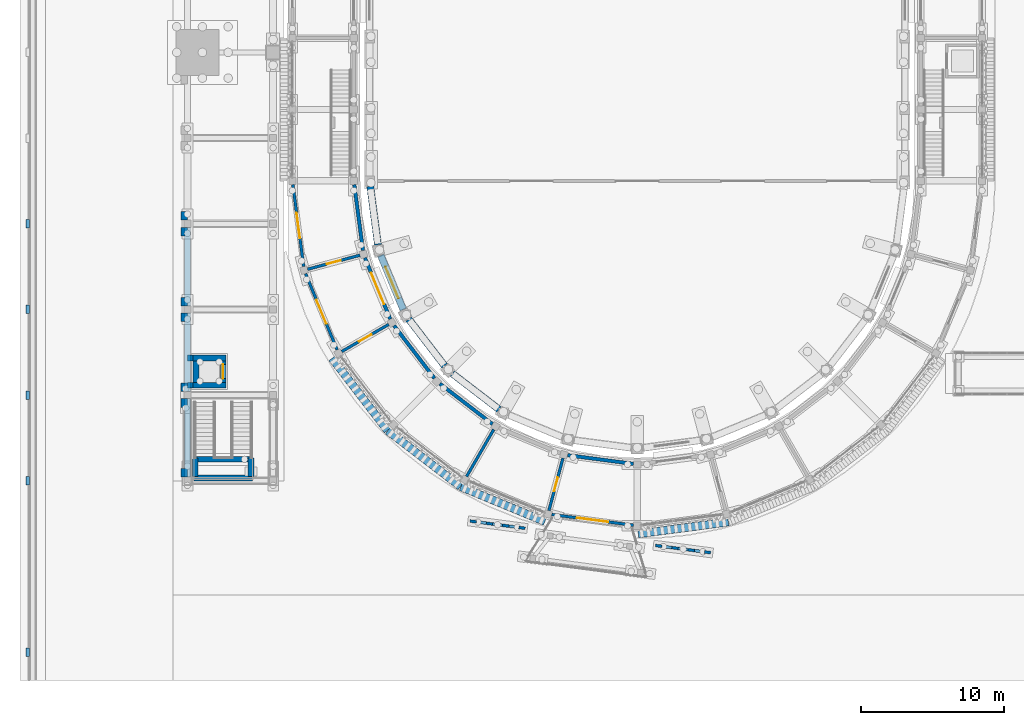
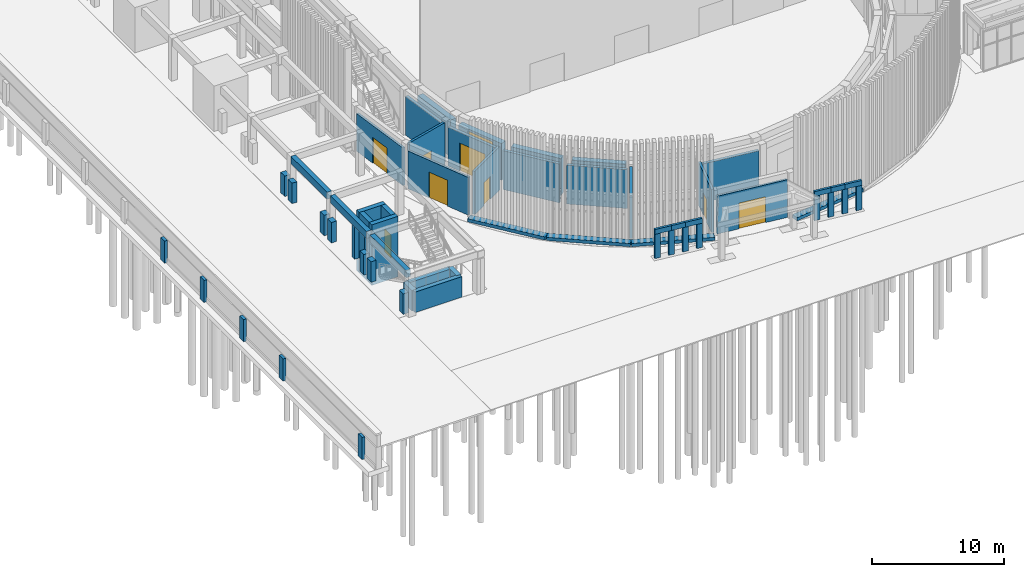
# One storey, part 59 of 112: 59 walls, 9 doors, 9 openings.
"""IFC4 building model written with IfcOpenShell, lengths in metres."""

from ifc_helpers import new_model, si_unit, direction, frame, frame_2d, origin, place, context, subcontext, project, spatial, rectangle, extrude, material, layer, layer_set, type_object, element, fill, save


model = new_model("IFC4")

# Units and contexts
model_context = context("Model", 3, precision=1e-05, world=origin(), true_north=direction((0.0, 1.0)))
body_context = subcontext(model_context, "Body", "Model", "MODEL_VIEW")
ifc_project = project(units=[si_unit("LENGTHUNIT", "METRE"), si_unit("AREAUNIT", "SQUARE_METRE"), si_unit("VOLUMEUNIT", "CUBIC_METRE"), si_unit("PLANEANGLEUNIT", "RADIAN"), si_unit("MASSUNIT", "GRAM", prefix="KILO")], contexts=[model_context])

# Site, building, storey
site_placement = place(None, origin())
site = spatial("IfcSite", under=ifc_project, at=site_placement, CompositionType="ELEMENT")
building_placement = place(site_placement, origin())
building = spatial("IfcBuilding", under=site, at=building_placement, Name="Wasatch Bagh Community Centre", CompositionType="ELEMENT")
storey_placement = place(building_placement, origin())
storey = spatial("IfcBuildingStorey", under=building, at=storey_placement, Name="L00", CompositionType="ELEMENT", Elevation=0.0)

# Walls
ifc_material_1 = material(Name="Concrete C40", Category="concrete")
ifc_layer_1 = layer(ifc_material_1, 0.39990234375)
ifc_layer_set_1 = layer_set([ifc_layer_1], Name="Concrete C40")
wall_type_1 = type_object("IfcWallType", Name="CT-W1", PredefinedType="STANDARD", material=ifc_layer_set_1)
for number, where, z_axis, x_axis, name in (
    (1, (4.5, 14.25, 3.300048828125), (0.0, 0.0, 1.0), (0.0, 1.0, 0.0), "CT-W1 arcade spandrel band 1"),
    (2, (4.5, 20.25, 3.300048828125), (0.0, 0.0, 1.0), (0.0, 1.0, 0.0), "CT-W1 arcade spandrel band 2"),
    (3, (4.5, 26.25, 3.300048828125), (0.0, 0.0, 1.0), (0.0, 1.0, 0.0), "CT-W1 arcade spandrel band 3"),
):
    element("IfcWall", number, at=place(storey_placement, frame(where, z_axis=z_axis, x_axis=x_axis)), inside=storey, type_object=wall_type_1, Name=name, PredefinedType="STANDARD", context=body_context, shape_type="SweptSolid", body=[
        extrude(rectangle(XDim=5.5, YDim=0.39990234375, at=frame_2d((2.75, 0.0))), origin(), (0.0, 0.0, 1.0), 0.64990234375),
    ])
ifc_layer_2 = layer(ifc_material_1, 0.39990234375)
ifc_layer_set_2 = layer_set([ifc_layer_2], Name="Concrete C40")
wall_type_2 = type_object("IfcWallType", Name="CT-W2", PredefinedType="SHEAR", material=ifc_layer_set_2)
for number, where, z_axis, x_axis, name in (
    (4, (4.89990234375, 20.699951171875, -1.39990234375), (0.0, 0.0, 1.0), (1.0, 0.0, 0.0), "LC1 shaft wall S"),
    (5, (4.89990234375, 22.60009765625, -1.39990234375), (0.0, 0.0, 1.0), (1.0, 0.0, 0.0), "LC1 shaft wall N"),
):
    element("IfcWall", number, at=place(storey_placement, frame(where, z_axis=z_axis, x_axis=x_axis)), inside=storey, type_object=wall_type_2, Name=name, PredefinedType="SHEAR", context=body_context, shape_type="SweptSolid", body=[
        extrude(rectangle(XDim=2.300048828125, YDim=0.39990234375, at=frame_2d((1.14990234375, 0.0))), origin(), (0.0, 0.0, 1.0), 5.599853515625),
    ])
wall_1_placement = place(storey_placement, frame((5.10009765625, 20.89990234375, -1.39990234375), z_axis=(0.0, 0.0, 1.0), x_axis=(0.0, 1.0, 0.0)))
element("IfcWall", 6, at=wall_1_placement, inside=storey, type_object=wall_type_2, Name="LC1 shaft wall W", PredefinedType="SHEAR", context=body_context, shape_type="SweptSolid", body=[
    extrude(rectangle(XDim=1.5, YDim=0.39990234375, at=frame_2d((0.75, 0.0))), origin(), (0.0, 0.0, 1.0), 5.599853515625),
])

# Wall, opening, door
wall_2_placement = place(storey_placement, frame((7.0, 20.89990234375, -1.39990234375), z_axis=(0.0, 0.0, 1.0), x_axis=(0.0, 1.0, 0.0)))
wall_2 = element("IfcWall", 7, at=wall_2_placement, inside=storey, type_object=wall_type_2, Name="LC1 shaft wall E", PredefinedType="SHEAR", context=body_context, shape_type="SweptSolid", body=[
    extrude(rectangle(XDim=1.5, YDim=0.39990234375, at=frame_2d((0.75, 0.0))), origin(), (0.0, 0.0, 1.0), 5.599853515625),
])
opening_1_placement = place(wall_2_placement, frame((0.25, 0.0, 1.39990234375)))
opening_1 = element("IfcOpeningElement", 8, at=opening_1_placement, cuts=wall_2, Name="Opening LD", PredefinedType="OPENING", context=body_context, shape_type="SweptSolid", body=[
    extrude(rectangle(XDim=1.0, YDim=2.10009765625, at=frame_2d((0.5, 1.050048828125))), frame((0.0, 0.2099609375, 0.0), z_axis=(0.0, -1.0, 0.0), x_axis=(1.0, 0.0, 0.0)), (0.0, 0.0, 1.0), 0.419921875),
])
ifc_material_2 = material(Name="Stainless steel landing door", Category="steel")
door_type_1 = type_object("IfcDoorType", Name="Lift landing door 1000 x 2100", OperationType="SLIDING_TO_LEFT", PredefinedType="DOOR", material=ifc_material_2)
door_1_placement = place(opening_1_placement, origin())
door_1 = element("IfcDoor", 9, at=door_1_placement, inside=storey, type_object=door_type_1, Name="LC1 landing door L00", OperationType="SLIDING_TO_LEFT", OverallHeight=2.10009765625, OverallWidth=1.0, PredefinedType="DOOR", context=body_context, shape_type="SweptSolid", body=[
    extrude(rectangle(XDim=1.0, YDim=2.10009765625, at=frame_2d((0.5, 1.050048828125))), frame((0.0, 0.02490234375, 0.0), z_axis=(0.0, -1.0, 0.0), x_axis=(1.0, 0.0, 0.0)), (0.0, 0.0, 1.0), 0.050048828125),
])
fill(opening_1, door_1)

# Walls
for number, where, z_axis, x_axis, name in (
    (10, (4.5, 20.699951171875, 0.0), (0.0, 0.0, 1.0), (1.0, 0.0, 0.0), "LC1 shaft wall return S"),
    (11, (4.5, 22.60009765625, 0.0), (0.0, 0.0, 1.0), (1.0, 0.0, 0.0), "LC1 shaft wall return N"),
):
    element("IfcWall", number, at=place(storey_placement, frame(where, z_axis=z_axis, x_axis=x_axis)), inside=storey, type_object=wall_type_2, Name=name, PredefinedType="SHEAR", context=body_context, shape_type="SweptSolid", body=[
        extrude(rectangle(XDim=0.39990234375, YDim=0.39990234375, at=frame_2d((0.199951171875, 0.0))), origin(), (0.0, 0.0, 1.0), 3.25),
    ])
wall_3_placement = place(storey_placement, frame((4.949951171875, 14.199951171875, 0.0), z_axis=(0.0, 0.0, 1.0), x_axis=(1.0, 0.0, 0.0)))
element("IfcWall", 12, at=wall_3_placement, inside=storey, type_object=wall_type_2, Name="CS1 landing support wall", PredefinedType="SHEAR", context=body_context, shape_type="SweptSolid", body=[
    extrude(rectangle(XDim=4.10009765625, YDim=0.39990234375, at=frame_2d((2.050048828125, 0.0))), origin(), (0.0, 0.0, 1.0), 1.89990234375),
])
wall_4_placement = place(storey_placement, frame((5.050048828125, 15.5, 0.0), z_axis=(0.0, 0.0, 1.0), x_axis=(1.0, 0.0, 0.0)))
element("IfcWall", 13, at=wall_4_placement, inside=storey, type_object=wall_type_2, Name="CS1 landing near wall", PredefinedType="SHEAR", context=body_context, shape_type="SweptSolid", body=[
    extrude(rectangle(XDim=3.89990234375, YDim=0.39990234375, at=frame_2d((1.949951171875, 0.0))), origin(), (0.0, 0.0, 1.0), 1.89990234375),
])
for number, where, z_axis, x_axis, name in (
    (14, (5.050048828125, 14.300048828125, 0.0), (0.0, 0.0, 1.0), (0.0, 1.0, 0.0), "CS1 landing side wall 1"),
    (15, (8.949951171875, 14.300048828125, 0.0), (0.0, 0.0, 1.0), (0.0, 1.0, 0.0), "CS1 landing side wall 2"),
):
    element("IfcWall", number, at=place(storey_placement, frame(where, z_axis=z_axis, x_axis=x_axis)), inside=storey, type_object=wall_type_2, Name=name, PredefinedType="SHEAR", context=body_context, shape_type="SweptSolid", body=[
        extrude(rectangle(XDim=1.300048828125, YDim=0.39990234375, at=frame_2d((0.64990234375, 0.0))), origin(), (0.0, 0.0, 1.0), 1.89990234375),
    ])
ifc_layer_3 = layer(ifc_material_1, 0.449951171875)
ifc_layer_set_3 = layer_set([ifc_layer_3], Name="Concrete C40")
wall_type_3 = type_object("IfcWallType", Name="CT-W6", PredefinedType="STANDARD", material=ifc_layer_set_3)
for number, where, z_axis, x_axis, name in (
    (16, (4.27490234375, 14.25, 0.0), (0.0, 0.0, 1.0), (0.0, 1.0, 0.0), "CT-W6 colonnade pier panel"),
    (17, (4.27490234375, 19.75, 0.0), (0.0, 0.0, 1.0), (0.0, -1.0, 0.0), "CT-W6 colonnade pier panel"),
    (18, (4.27490234375, 20.25, 0.0), (0.0, 0.0, 1.0), (0.0, 1.0, 0.0), "CT-W6 colonnade pier panel"),
    (19, (4.27490234375, 25.75, 0.0), (0.0, 0.0, 1.0), (0.0, -1.0, 0.0), "CT-W6 colonnade pier panel"),
    (20, (4.27490234375, 26.25, 0.0), (0.0, 0.0, 1.0), (0.0, 1.0, 0.0), "CT-W6 colonnade pier panel"),
    (21, (4.27490234375, 31.75, 0.0), (0.0, 0.0, 1.0), (0.0, -1.0, 0.0), "CT-W6 colonnade pier panel"),
    (22, (4.27490234375, 32.25, 0.0), (0.0, 0.0, 1.0), (0.0, 1.0, 0.0), "CT-W6 colonnade pier panel"),
):
    element("IfcWall", number, at=place(storey_placement, frame(where, z_axis=z_axis, x_axis=x_axis)), inside=storey, type_object=wall_type_3, Name=name, PredefinedType="STANDARD", context=body_context, shape_type="SweptSolid", body=[
        extrude(rectangle(XDim=0.60009765625, YDim=0.449951171875, at=frame_2d((0.300048828125, 0.0))), origin(), (0.0, 0.0, 1.0), 1.89990234375),
    ])

# Wall, opening, door
ifc_layer_4 = layer(ifc_material_1, 0.199951171875)
ifc_layer_set_4 = layer_set([ifc_layer_4], Name="Concrete C40")
wall_type_4 = type_object("IfcWallType", Name="Drum core wall RC WALL 200", PredefinedType="STANDARD", material=ifc_layer_set_4)
wall_5_placement = place(storey_placement, frame((16.5849609375, 29.7978515625, 0.0), z_axis=(0.0, 0.0, 1.0), x_axis=(-0.965919660258, -0.258842055948, 0.0)))
wall_5 = element("IfcWall", 23, at=wall_5_placement, inside=storey, type_object=wall_type_4, Name="Partition 01", PredefinedType="STANDARD", context=body_context, shape_type="SweptSolid", body=[
    extrude(rectangle(XDim=3.800048828125, YDim=0.199951171875, at=frame_2d((1.89990234375, 0.0))), origin(), (0.0, 0.0, 1.0), 4.0),
])
opening_2_placement = place(wall_5_placement, frame((1.39990234375, 0.0, 0.0)))
opening_2 = element("IfcOpeningElement", 24, at=opening_2_placement, cuts=wall_5, Name="Opening 0F-21", PredefinedType="OPENING", context=body_context, shape_type="SweptSolid", body=[
    extrude(rectangle(XDim=1.0, YDim=2.10009765625, at=frame_2d((0.5, 1.050048828125))), frame((0.0, 0.10986328125, 0.0), z_axis=(0.0, -1.0, 0.0), x_axis=(1.0, 0.0, 0.0)), (0.0, 0.0, 1.0), 0.219970703125),
])
ifc_material_3 = material(Name="Timber door leaf in steel frame", Category="steel")
door_type_2 = type_object("IfcDoorType", Name="Drum door single 1000 x 2100", OperationType="SINGLE_SWING_LEFT", PredefinedType="DOOR", material=ifc_material_3)
door_2_placement = place(opening_2_placement, origin())
door_2 = element("IfcDoor", 25, at=door_2_placement, inside=storey, type_object=door_type_2, Name="Door 0F-21", OperationType="SINGLE_SWING_LEFT", OverallHeight=2.10009765625, OverallWidth=1.0, PredefinedType="DOOR", context=body_context, shape_type="SweptSolid", body=[
    extrude(rectangle(XDim=1.0, YDim=2.10009765625, at=frame_2d((0.5, 1.050048828125))), frame((0.0, 0.02490234375, 0.0), z_axis=(0.0, -1.0, 0.0), x_axis=(1.0, 0.0, 0.0)), (0.0, 0.0, 1.0), 0.050048828125),
])
fill(opening_2, door_2)

ifc_layer_5 = layer(ifc_material_1, 0.199951171875)
ifc_layer_set_5 = layer_set([ifc_layer_5], Name="Concrete C40")
wall_type_5 = type_object("IfcWallType", Name="Drum entrance bay wall RC WALL 200", PredefinedType="STANDARD", material=ifc_layer_set_5)
wall_6_placement = place(storey_placement, frame((11.884765625, 34.736572265625, 0.0), z_axis=(0.0, 0.0, 1.0), x_axis=(0.130512494435, -0.991446664625, 0.0)))
wall_6 = element("IfcWall", 26, at=wall_6_placement, inside=storey, type_object=wall_type_5, Name="Entrance bay wall 1", PredefinedType="STANDARD", context=body_context, shape_type="SweptSolid", body=[
    extrude(rectangle(XDim=5.772705078125, YDim=0.199951171875, at=frame_2d((2.88623046875, 0.0))), origin(), (0.0, 0.0, 1.0), 3.5),
])
opening_3_placement = place(wall_6_placement, frame((1.986328125, 0.0, 0.0)))
opening_3 = element("IfcOpeningElement", 27, at=opening_3_placement, cuts=wall_6, Name="Opening 0F-01", PredefinedType="OPENING", context=body_context, shape_type="SweptSolid", body=[
    extrude(rectangle(XDim=1.800048828125, YDim=2.39990234375, at=frame_2d((0.89990234375, 1.199951171875))), frame((0.0, 0.10986328125, 0.0), z_axis=(0.0, -1.0, 0.0), x_axis=(1.0, 0.0, 0.0)), (0.0, 0.0, 1.0), 0.219970703125),
])
ifc_material_4 = material(Name="Aluminium framed door with low-iron insulated glass", Category="aluminium")
door_type_3 = type_object("IfcDoorType", Name="Drum exit door pair 1800 x 2400", OperationType="DOUBLE_DOOR_DOUBLE_SWING", PredefinedType="DOOR", material=ifc_material_4)
door_3_placement = place(opening_3_placement, origin())
door_3 = element("IfcDoor", 28, at=door_3_placement, inside=storey, type_object=door_type_3, Name="Door 0F-01", OperationType="DOUBLE_DOOR_DOUBLE_SWING", OverallHeight=2.39990234375, OverallWidth=1.800048828125, PredefinedType="DOOR", context=body_context, shape_type="SweptSolid", body=[
    extrude(rectangle(XDim=1.800048828125, YDim=2.39990234375, at=frame_2d((0.89990234375, 1.199951171875))), frame((0.0, 0.02490234375, 0.0), z_axis=(0.0, -1.0, 0.0), x_axis=(1.0, 0.0, 0.0)), (0.0, 0.0, 1.0), 0.050048828125),
])
fill(opening_3, door_3)

wall_7_placement = place(storey_placement, frame((12.774658203125, 28.50390625, 0.0), z_axis=(0.0, 0.0, 1.0), x_axis=(0.382665553446, -0.923886938, 0.0)))
wall_7 = element("IfcWall", 29, at=wall_7_placement, inside=storey, type_object=wall_type_5, Name="Entrance bay wall 2", PredefinedType="STANDARD", context=body_context, shape_type="SweptSolid", body=[
    extrude(rectangle(XDim=5.772705078125, YDim=0.199951171875, at=frame_2d((2.88623046875, 0.0))), origin(), (0.0, 0.0, 1.0), 3.5),
])
opening_4_placement = place(wall_7_placement, frame((1.986328125, 0.0, 0.0)))
opening_4 = element("IfcOpeningElement", 30, at=opening_4_placement, cuts=wall_7, Name="Opening 0F-02", PredefinedType="OPENING", context=body_context, shape_type="SweptSolid", body=[
    extrude(rectangle(XDim=1.800048828125, YDim=2.39990234375, at=frame_2d((0.89990234375, 1.199951171875))), frame((0.0, 0.10986328125, 0.0), z_axis=(0.0, -1.0, 0.0), x_axis=(1.0, 0.0, 0.0)), (0.0, 0.0, 1.0), 0.219970703125),
])
door_4_placement = place(opening_4_placement, origin())
door_4 = element("IfcDoor", 31, at=door_4_placement, inside=storey, type_object=door_type_3, Name="Door 0F-02", OperationType="DOUBLE_DOOR_DOUBLE_SWING", OverallHeight=2.39990234375, OverallWidth=1.800048828125, PredefinedType="DOOR", context=body_context, shape_type="SweptSolid", body=[
    extrude(rectangle(XDim=1.800048828125, YDim=2.39990234375, at=frame_2d((0.89990234375, 1.199951171875))), frame((0.0, 0.02490234375, 0.0), z_axis=(0.0, -1.0, 0.0), x_axis=(1.0, 0.0, 0.0)), (0.0, 0.0, 1.0), 0.050048828125),
])
fill(opening_4, door_4)

wall_8_placement = place(storey_placement, frame((30.01318359375, 11.63818359375, 0.0), z_axis=(0.0, 0.0, 1.0), x_axis=(0.991446664625, -0.130512494435, 0.0)))
wall_8 = element("IfcWall", 32, at=wall_8_placement, inside=storey, type_object=wall_type_5, Name="Entrance bay wall 6", PredefinedType="STANDARD", context=body_context, shape_type="SweptSolid", body=[
    extrude(rectangle(XDim=5.772705078125, YDim=0.199951171875, at=frame_2d((2.88623046875, 0.0))), origin(), (0.0, 0.0, 1.0), 3.5),
])
opening_5_placement = place(wall_8_placement, frame((1.786376953125, 0.0, 0.0)))
opening_5 = element("IfcOpeningElement", 33, at=opening_5_placement, cuts=wall_8, Name="Opening 0F-03", PredefinedType="OPENING", context=body_context, shape_type="SweptSolid", body=[
    extrude(rectangle(XDim=2.199951171875, YDim=2.39990234375, at=frame_2d((1.10009765625, 1.199951171875))), frame((0.0, 0.10986328125, 0.0), z_axis=(0.0, -1.0, 0.0), x_axis=(1.0, 0.0, 0.0)), (0.0, 0.0, 1.0), 0.219970703125),
])
door_type_4 = type_object("IfcDoorType", Name="Drum hall exit door pair 2200 x 2400", OperationType="DOUBLE_DOOR_DOUBLE_SWING", PredefinedType="DOOR", material=ifc_material_4)
door_5_placement = place(opening_5_placement, origin())
door_5 = element("IfcDoor", 34, at=door_5_placement, inside=storey, type_object=door_type_4, Name="Door 0F-03", OperationType="DOUBLE_DOOR_DOUBLE_SWING", OverallHeight=2.39990234375, OverallWidth=2.199951171875, PredefinedType="DOOR", context=body_context, shape_type="SweptSolid", body=[
    extrude(rectangle(XDim=2.199951171875, YDim=2.39990234375, at=frame_2d((1.10009765625, 1.199951171875))), frame((0.0, 0.02490234375, 0.0), z_axis=(0.0, -1.0, 0.0), x_axis=(1.0, 0.0, 0.0)), (0.0, 0.0, 1.0), 0.050048828125),
])
fill(opening_5, door_5)

# Wall
ifc_layer_6 = layer(ifc_material_1, 0.25)
ifc_layer_set_6 = layer_set([ifc_layer_6], Name="Concrete C40")
wall_type_6 = type_object("IfcWallType", Name="Drum inner wall RC WALL 250", PredefinedType="SHEAR", material=ifc_layer_set_6)
wall_9_placement = place(storey_placement, frame((16.18505859375, 34.733154296875, 0.0), z_axis=(0.0, 0.0, 1.0), x_axis=(0.130541551055, -0.991442839224, 0.0)))
element("IfcWall", 35, at=wall_9_placement, inside=storey, type_object=wall_type_6, Name="Inner wall 1", PredefinedType="SHEAR", context=body_context, shape_type="SweptSolid", body=[
    extrude(rectangle(XDim=4.643798828125, YDim=0.25, at=frame_2d((2.32177734375, 0.0))), origin(), (0.0, 0.0, 1.0), 3.60009765625),
])

# Wall, opening, door
wall_10_placement = place(storey_placement, frame((16.929443359375, 29.61376953125, 0.0), z_axis=(0.0, 0.0, 1.0), x_axis=(0.382658268537, -0.923889955309, 0.0)))
wall_10 = element("IfcWall", 36, at=wall_10_placement, inside=storey, type_object=wall_type_6, Name="Inner wall 2", PredefinedType="SHEAR", context=body_context, shape_type="SweptSolid", body=[
    extrude(rectangle(XDim=4.6435546875, YDim=0.25, at=frame_2d((2.32177734375, 0.0))), origin(), (0.0, 0.0, 1.0), 3.60009765625),
])
opening_6_placement = place(wall_10_placement, frame((1.121826171875, 0.0, 0.0)))
opening_6 = element("IfcOpeningElement", 37, at=opening_6_placement, cuts=wall_10, Name="Opening 0F-67", PredefinedType="OPENING", context=body_context, shape_type="SweptSolid", body=[
    extrude(rectangle(XDim=2.39990234375, YDim=2.60009765625, at=frame_2d((1.199951171875, 1.300048828125))), frame((0.0, 0.135009765625, 0.0), z_axis=(0.0, -1.0, 0.0), x_axis=(1.0, 0.0, 0.0)), (0.0, 0.0, 1.0), 0.27001953125),
])
door_type_5 = type_object("IfcDoorType", Name="Drum gate door pair 2400 x 2600", OperationType="DOUBLE_DOOR_SLIDING", PredefinedType="DOOR", material=ifc_material_4)
door_6_placement = place(opening_6_placement, origin())
door_6 = element("IfcDoor", 38, at=door_6_placement, inside=storey, type_object=door_type_5, Name="Door 0F-67", OperationType="DOUBLE_DOOR_SLIDING", OverallHeight=2.60009765625, OverallWidth=2.39990234375, PredefinedType="DOOR", context=body_context, shape_type="SweptSolid", body=[
    extrude(rectangle(XDim=2.39990234375, YDim=2.60009765625, at=frame_2d((1.199951171875, 1.300048828125))), frame((0.0, 0.02490234375, 0.0), z_axis=(0.0, -1.0, 0.0), x_axis=(1.0, 0.0, 0.0)), (0.0, 0.0, 1.0), 0.050048828125),
])
fill(opening_6, door_6)

# Walls
for number, where, z_axis, x_axis, name in (
    (39, (18.97314453125, 24.861572265625, 0.0), (0.0, 0.0, 1.0), (0.608762612058, -0.793352432504, 0.0), "Inner wall 3"),
    (40, (22.177490234375, 20.800048828125, 0.0), (0.0, 0.0, 1.0), (0.793352432504, -0.608762612058, 0.0), "Inner wall 4"),
    (41, (31.129150390625, 15.791259765625, 0.0), (0.0, 0.0, 1.0), (0.991442839224, -0.130541551055, 0.0), "Inner wall 6"),
):
    element("IfcWall", number, at=place(storey_placement, frame(where, z_axis=z_axis, x_axis=x_axis)), inside=storey, type_object=wall_type_6, Name=name, PredefinedType="SHEAR", context=body_context, shape_type="SweptSolid", body=[
        extrude(rectangle(XDim=4.643798828125, YDim=0.25, at=frame_2d((2.32177734375, 0.0))), origin(), (0.0, 0.0, 1.0), 3.60009765625),
    ])

# Wall, opening, door
ifc_material_5 = material(Name="Gypsum board partition on steel studs", Category="steel")
ifc_layer_7 = layer(ifc_material_5, 0.199951171875)
ifc_layer_set_7 = layer_set([ifc_layer_7], Name="Gypsum board partition on steel studs")
wall_type_7 = type_object("IfcWallType", Name="Drum partition 200", PredefinedType="PARTITIONING", material=ifc_layer_set_7)
wall_11_placement = place(storey_placement, frame((18.5927734375, 24.949951171875, 0.0), z_axis=(0.0, 0.0, 1.0), x_axis=(-0.866028304915, -0.499994975061, 0.0)))
wall_11 = element("IfcWall", 42, at=wall_11_placement, inside=storey, type_object=wall_type_7, Name="Partition 02", PredefinedType="PARTITIONING", context=body_context, shape_type="SweptSolid", body=[
    extrude(rectangle(XDim=3.7998046875, YDim=0.199951171875, at=frame_2d((1.89990234375, 0.0))), origin(), (0.0, 0.0, 1.0), 4.0),
])
opening_7_placement = place(wall_11_placement, frame((1.39990234375, 0.0, 0.0)))
opening_7 = element("IfcOpeningElement", 43, at=opening_7_placement, cuts=wall_11, Name="Opening 0F-22", PredefinedType="OPENING", context=body_context, shape_type="SweptSolid", body=[
    extrude(rectangle(XDim=1.0, YDim=2.10009765625, at=frame_2d((0.5, 1.050048828125))), frame((0.0, 0.10986328125, 0.0), z_axis=(0.0, -1.0, 0.0), x_axis=(1.0, 0.0, 0.0)), (0.0, 0.0, 1.0), 0.219970703125),
])
door_7_placement = place(opening_7_placement, origin())
door_7 = element("IfcDoor", 44, at=door_7_placement, inside=storey, type_object=door_type_2, Name="Door 0F-22", OperationType="SINGLE_SWING_LEFT", OverallHeight=2.10009765625, OverallWidth=1.0, PredefinedType="DOOR", context=body_context, shape_type="SweptSolid", body=[
    extrude(rectangle(XDim=1.0, YDim=2.10009765625, at=frame_2d((0.5, 1.050048828125))), frame((0.0, 0.02490234375, 0.0), z_axis=(0.0, -1.0, 0.0), x_axis=(1.0, 0.0, 0.0)), (0.0, 0.0, 1.0), 0.050048828125),
])
fill(opening_7, door_7)

# Wall
wall_12_placement = place(storey_placement, frame((25.949951171875, 17.5927734375, 0.0), z_axis=(0.0, 0.0, 1.0), x_axis=(-0.499994975061, -0.866028304915, 0.0)))
element("IfcWall", 45, at=wall_12_placement, inside=storey, type_object=wall_type_7, Name="Partition 04", PredefinedType="PARTITIONING", context=body_context, shape_type="SweptSolid", body=[
    extrude(rectangle(XDim=3.7998046875, YDim=0.199951171875, at=frame_2d((1.89990234375, 0.0))), origin(), (0.0, 0.0, 1.0), 4.0),
])

# Wall, opening, door
wall_13_placement = place(storey_placement, frame((30.7978515625, 15.5849609375, 0.0), z_axis=(0.0, 0.0, 1.0), x_axis=(-0.258842055948, -0.965919660258, 0.0)))
wall_13 = element("IfcWall", 46, at=wall_13_placement, inside=storey, type_object=wall_type_7, Name="Partition 05", PredefinedType="PARTITIONING", context=body_context, shape_type="SweptSolid", body=[
    extrude(rectangle(XDim=3.800048828125, YDim=0.199951171875, at=frame_2d((1.89990234375, 0.0))), origin(), (0.0, 0.0, 1.0), 4.0),
])
opening_8_placement = place(wall_13_placement, frame((1.39990234375, 0.0, 0.0)))
opening_8 = element("IfcOpeningElement", 47, at=opening_8_placement, cuts=wall_13, Name="Opening 0F-23", PredefinedType="OPENING", context=body_context, shape_type="SweptSolid", body=[
    extrude(rectangle(XDim=1.0, YDim=2.10009765625, at=frame_2d((0.5, 1.050048828125))), frame((0.0, 0.10986328125, 0.0), z_axis=(0.0, -1.0, 0.0), x_axis=(1.0, 0.0, 0.0)), (0.0, 0.0, 1.0), 0.219970703125),
])
door_8_placement = place(opening_8_placement, origin())
door_8 = element("IfcDoor", 48, at=door_8_placement, inside=storey, type_object=door_type_2, Name="Door 0F-23", OperationType="SINGLE_SWING_RIGHT", OverallHeight=2.10009765625, OverallWidth=1.0, PredefinedType="DOOR", context=body_context, shape_type="SweptSolid", body=[
    extrude(rectangle(XDim=1.0, YDim=2.10009765625, at=frame_2d((0.5, 1.050048828125))), frame((0.0, 0.02490234375, 0.0), z_axis=(0.0, -1.0, 0.0), x_axis=(1.0, 0.0, 0.0)), (0.0, 0.0, 1.0), 0.050048828125),
])
fill(opening_8, door_8)

# Walls
ifc_material_6 = material(Name="Concrete C35 faced in red sandstone", Category="masonry")
ifc_layer_8 = layer(ifc_material_6, 0.669921875)
ifc_layer_set_8 = layer_set([ifc_layer_8], Name="Concrete C35 faced in red sandstone")
wall_type_8 = type_object("IfcWallType", Name="Drum sandstone plinth", PredefinedType="STANDARD", material=ifc_layer_set_8)
wall_14_placement = place(storey_placement, frame((14.63330078125, 22.578125, 0.0), z_axis=(0.0, 0.0, 1.0), x_axis=(0.60874074273, -0.793369213003, 0.0)))
element("IfcWall", 49, at=wall_14_placement, inside=storey, type_object=wall_type_8, Name="Sandstone plinth 3", PredefinedType="STANDARD", context=body_context, shape_type="SweptSolid", body=[
    extrude(rectangle(XDim=6.364501953125, YDim=0.56005859375, at=frame_2d((3.18212890625, 0.0))), origin(), (0.0, 0.0, 1.0), 0.300048828125),
])
wall_15_placement = place(storey_placement, frame((18.52880859375, 17.507568359375, 0.0), z_axis=(0.0, 0.0, 1.0), x_axis=(0.79334816813, -0.608768169442, 0.0)))
element("IfcWall", 50, at=wall_15_placement, inside=storey, type_object=wall_type_8, Name="Sandstone plinth 4", PredefinedType="STANDARD", context=body_context, shape_type="SweptSolid", body=[
    extrude(rectangle(XDim=6.42431640625, YDim=0.56005859375, at=frame_2d((3.212158203125, 0.0))), origin(), (0.0, 0.0, 1.0), 0.300048828125),
])
wall_16_placement = place(storey_placement, frame((23.6513671875, 13.581787109375, 0.0), z_axis=(0.0, 0.0, 1.0), x_axis=(0.923884057426, -0.382672508071, 0.0)))
element("IfcWall", 51, at=wall_16_placement, inside=storey, type_object=wall_type_8, Name="Sandstone plinth 5", PredefinedType="STANDARD", context=body_context, shape_type="SweptSolid", body=[
    extrude(rectangle(XDim=6.364501953125, YDim=0.56005859375, at=frame_2d((3.18212890625, 0.0))), origin(), (0.0, 0.0, 1.0), 0.300048828125),
])
wall_17_placement = place(storey_placement, frame((36.074462890625, 10.284912109375, 0.0), z_axis=(0.0, 0.0, 1.0), x_axis=(0.991447635211, 0.130505121106, 0.0)))
element("IfcWall", 52, at=wall_17_placement, inside=storey, type_object=wall_type_8, Name="Sandstone plinth 7", PredefinedType="STANDARD", context=body_context, shape_type="SweptSolid", body=[
    extrude(rectangle(XDim=6.3642578125, YDim=0.56005859375, at=frame_2d((3.18212890625, 0.0))), origin(), (0.0, 0.0, 1.0), 0.300048828125),
])
ifc_layer_9 = layer(ifc_material_1, 0.199951171875)
ifc_layer_set_9 = layer_set([ifc_layer_9], Name="Concrete C40")
wall_type_9 = type_object("IfcWallType", Name="Foyer jali screen wall 200", PredefinedType="STANDARD", material=ifc_layer_set_9)
for number, where, z_axis, x_axis, name in (
    (53, (24.28857421875, 11.181396484375, 0.0), (0.0, 0.0, 1.0), (0.991491178312, -0.130173896496, 0.0), "Jali screen post W"),
    (54, (25.4287109375, 11.03125, 0.0), (0.0, 0.0, 1.0), (0.991491178312, -0.130173896496, 0.0), "Jali screen post W"),
):
    element("IfcWall", number, at=place(storey_placement, frame(where, z_axis=z_axis, x_axis=x_axis)), inside=storey, type_object=wall_type_9, Name=name, PredefinedType="STANDARD", context=body_context, shape_type="SweptSolid", body=[
        extrude(rectangle(XDim=0.4501953125, YDim=0.199951171875, at=frame_2d((0.22509765625, 0.0))), origin(), (0.0, 0.0, 1.0), 2.25),
    ])
for number, where, z_axis, x_axis, name in (
    (55, (26.569091796875, 10.88134765625, 0.0), (0.0, 0.0, 1.0), (0.991411762286, -0.1307773589, 0.0), "Jali screen post W"),
    (56, (27.709228515625, 10.731201171875, 0.0), (0.0, 0.0, 1.0), (0.991411762286, -0.1307773589, 0.0), "Jali screen post W"),
):
    element("IfcWall", number, at=place(storey_placement, frame(where, z_axis=z_axis, x_axis=x_axis)), inside=storey, type_object=wall_type_9, Name=name, PredefinedType="STANDARD", context=body_context, shape_type="SweptSolid", body=[
        extrude(rectangle(XDim=0.449951171875, YDim=0.199951171875, at=frame_2d((0.22509765625, 0.0))), origin(), (0.0, 0.0, 1.0), 2.25),
    ])
wall_18_placement = place(storey_placement, frame((24.28857421875, 11.181396484375, 2.25), z_axis=(0.0, 0.0, 1.0), x_axis=(0.991448251197, -0.130500441374, 0.0)))
element("IfcWall", 57, at=wall_18_placement, inside=storey, type_object=wall_type_9, Name="Jali screen rail W", PredefinedType="STANDARD", context=body_context, shape_type="SweptSolid", body=[
    extrude(rectangle(XDim=1.375, YDim=0.199951171875, at=frame_2d((0.6875, 0.0))), origin(), (0.0, 0.0, 1.0), 0.449951171875),
])
wall_19_placement = place(storey_placement, frame((25.65185546875, 11.001953125, 2.25), z_axis=(0.0, 0.0, 1.0), x_axis=(0.991439837467, -0.130564346904, 0.0)))
element("IfcWall", 58, at=wall_19_placement, inside=storey, type_object=wall_type_9, Name="Jali screen rail W", PredefinedType="STANDARD", context=body_context, shape_type="SweptSolid", body=[
    extrude(rectangle(XDim=1.14990234375, YDim=0.199951171875, at=frame_2d((0.574951171875, 0.0))), origin(), (0.0, 0.0, 1.0), 0.449951171875),
])
wall_20_placement = place(storey_placement, frame((26.7919921875, 10.851806640625, 2.25), z_axis=(0.0, 0.0, 1.0), x_axis=(0.991448251197, -0.130500441374, 0.0)))
element("IfcWall", 59, at=wall_20_placement, inside=storey, type_object=wall_type_9, Name="Jali screen rail W", PredefinedType="STANDARD", context=body_context, shape_type="SweptSolid", body=[
    extrude(rectangle(XDim=1.375, YDim=0.199951171875, at=frame_2d((0.6875, 0.0))), origin(), (0.0, 0.0, 1.0), 0.449951171875),
])
for number, where, z_axis, x_axis, name in (
    (60, (37.281005859375, 9.470947265625, 0.0), (0.0, 0.0, 1.0), (0.991481979941, -0.130243938252, 0.0), "Jali screen post E"),
    (61, (38.421142578125, 9.32080078125, 0.0), (0.0, 0.0, 1.0), (0.991481979941, -0.130243938252, 0.0), "Jali screen post E"),
    (62, (39.561279296875, 9.1708984375, 0.0), (0.0, 0.0, 1.0), (0.991411762286, -0.1307773589, 0.0), "Jali screen post E"),
):
    element("IfcWall", number, at=place(storey_placement, frame(where, z_axis=z_axis, x_axis=x_axis)), inside=storey, type_object=wall_type_9, Name=name, PredefinedType="STANDARD", context=body_context, shape_type="SweptSolid", body=[
        extrude(rectangle(XDim=0.449951171875, YDim=0.199951171875, at=frame_2d((0.22509765625, 0.0))), origin(), (0.0, 0.0, 1.0), 2.25),
    ])
wall_21_placement = place(storey_placement, frame((40.701416015625, 9.020751953125, 0.0), z_axis=(0.0, 0.0, 1.0), x_axis=(0.9914210355, -0.130707040238, 0.0)))
element("IfcWall", 63, at=wall_21_placement, inside=storey, type_object=wall_type_9, Name="Jali screen post E", PredefinedType="STANDARD", context=body_context, shape_type="SweptSolid", body=[
    extrude(rectangle(XDim=0.4501953125, YDim=0.199951171875, at=frame_2d((0.22509765625, 0.0))), origin(), (0.0, 0.0, 1.0), 2.25),
])
wall_22_placement = place(storey_placement, frame((37.281005859375, 9.470947265625, 2.25), z_axis=(0.0, 0.0, 1.0), x_axis=(0.991448251197, -0.130500441374, 0.0)))
element("IfcWall", 64, at=wall_22_placement, inside=storey, type_object=wall_type_9, Name="Jali screen rail E", PredefinedType="STANDARD", context=body_context, shape_type="SweptSolid", body=[
    extrude(rectangle(XDim=1.375, YDim=0.199951171875, at=frame_2d((0.6875, 0.0))), origin(), (0.0, 0.0, 1.0), 0.449951171875),
])
wall_23_placement = place(storey_placement, frame((38.644287109375, 9.29150390625, 2.25), z_axis=(0.0, 0.0, 1.0), x_axis=(0.991439837467, -0.130564346904, 0.0)))
element("IfcWall", 65, at=wall_23_placement, inside=storey, type_object=wall_type_9, Name="Jali screen rail E", PredefinedType="STANDARD", context=body_context, shape_type="SweptSolid", body=[
    extrude(rectangle(XDim=1.14990234375, YDim=0.199951171875, at=frame_2d((0.574951171875, 0.0))), origin(), (0.0, 0.0, 1.0), 0.449951171875),
])
wall_24_placement = place(storey_placement, frame((39.784423828125, 9.141357421875, 2.25), z_axis=(0.0, 0.0, 1.0), x_axis=(0.991448251197, -0.130500441374, 0.0)))
element("IfcWall", 66, at=wall_24_placement, inside=storey, type_object=wall_type_9, Name="Jali screen rail E", PredefinedType="STANDARD", context=body_context, shape_type="SweptSolid", body=[
    extrude(rectangle(XDim=1.375, YDim=0.199951171875, at=frame_2d((0.6875, 0.0))), origin(), (0.0, 0.0, 1.0), 0.449951171875),
])
ifc_layer_10 = layer(ifc_material_1, 0.5)
ifc_layer_set_10 = layer_set([ifc_layer_10], Name="Concrete C40")
wall_type_10 = type_object("IfcWallType", Name="MH wall RC WALL 500", PredefinedType="SHEAR", material=ifc_layer_set_10)
wall_25_placement = place(storey_placement, frame((17.300537109375, 34.616943359375, 0.0), z_axis=(0.0, 0.0, 1.0), x_axis=(0.130483623501, -0.991450464722, 0.0)))
element("IfcWall", 67, at=wall_25_placement, inside=storey, type_object=wall_type_10, Name="Capsule wall 1", PredefinedType="SHEAR", context=body_context, shape_type="SweptSolid", body=[
    extrude(rectangle(XDim=4.121826171875, YDim=0.5, at=frame_2d((2.06103515625, 0.0))), origin(), (0.0, 0.0, 1.0), 3.39990234375),
])

# Wall, opening, door
wall_26_placement = place(storey_placement, frame((18.036865234375, 29.7900390625, 0.0), z_axis=(0.0, 0.0, 1.0), x_axis=(0.382688328955, -0.923877504262, 0.0)))
wall_26 = element("IfcWall", 68, at=wall_26_placement, inside=storey, type_object=wall_type_10, Name="Capsule wall 2", PredefinedType="SHEAR", context=body_context, shape_type="SweptSolid", body=[
    extrude(rectangle(XDim=4.121826171875, YDim=0.5, at=frame_2d((2.06103515625, 0.0))), origin(), (0.0, 0.0, 1.0), 3.39990234375),
])
opening_9_placement = place(wall_26_placement, frame((0.86083984375, 0.0, 0.0)))
opening_9 = element("IfcOpeningElement", 69, at=opening_9_placement, cuts=wall_26, Name="Opening 0M-01", PredefinedType="OPENING", context=body_context, shape_type="SweptSolid", body=[
    extrude(rectangle(XDim=2.39990234375, YDim=3.199951171875, at=frame_2d((1.199951171875, 1.60009765625))), frame((0.0, 0.260009765625, 0.0), z_axis=(0.0, -1.0, 0.0), x_axis=(1.0, 0.0, 0.0)), (0.0, 0.0, 1.0), 0.52001953125),
])
door_type_6 = type_object("IfcDoorType", Name="MH gate door pair 2400 x 3200", OperationType="DOUBLE_DOOR_SLIDING", PredefinedType="DOOR", material=ifc_material_4)
door_9_placement = place(opening_9_placement, origin())
door_9 = element("IfcDoor", 70, at=door_9_placement, inside=storey, type_object=door_type_6, Name="Door 0M-01", OperationType="DOUBLE_DOOR_SLIDING", OverallHeight=3.199951171875, OverallWidth=2.39990234375, PredefinedType="DOOR", context=body_context, shape_type="SweptSolid", body=[
    extrude(rectangle(XDim=2.39990234375, YDim=3.199951171875, at=frame_2d((1.199951171875, 1.60009765625))), frame((0.0, 0.02490234375, 0.0), z_axis=(0.0, -1.0, 0.0), x_axis=(1.0, 0.0, 0.0)), (0.0, 0.0, 1.0), 0.050048828125),
])
fill(opening_9, door_9)

# Walls
for number, where, z_axis, x_axis, name in (
    (71, (19.997314453125, 25.318359375, 0.0), (0.0, 0.0, 1.0), (0.60877717335, -0.793341258985, 0.0), "Capsule wall 3"),
    (72, (23.04833984375, 21.506591796875, 0.0), (0.0, 0.0, 1.0), (0.793341258985, -0.60877717335, 0.0), "Capsule wall 4"),
):
    element("IfcWall", number, at=place(storey_placement, frame(where, z_axis=z_axis, x_axis=x_axis)), inside=storey, type_object=wall_type_10, Name=name, PredefinedType="SHEAR", context=body_context, shape_type="SweptSolid", body=[
        extrude(rectangle(XDim=4.121826171875, YDim=0.5, at=frame_2d((2.06103515625, 0.0))), origin(), (0.0, 0.0, 1.0), 3.39990234375),
    ])
ifc_material_7 = material(Name="Concrete C35", Category="concrete")
ifc_layer_11 = layer(ifc_material_7, 0.25)
ifc_layer_set_11 = layer_set([ifc_layer_11], Name="Concrete C35")
wall_type_11 = type_object("IfcWallType", Name="SITE-QP", PredefinedType="SOLIDWALL", material=ifc_layer_set_11)
for number, where, z_axis, x_axis, name in (
    (73, (-6.675048828125, 1.699951171875, -2.050048828125), (0.0, 0.0, 1.0), (0.0, 1.0, 0.0), "Quay pilaster 1"),
    (74, (-6.675048828125, 13.699951171875, -2.050048828125), (0.0, 0.0, 1.0), (0.0, 1.0, 0.0), "Quay pilaster 2"),
    (75, (-6.675048828125, 19.699951171875, -2.050048828125), (0.0, 0.0, 1.0), (0.0, 1.0, 0.0), "Quay pilaster 3"),
    (76, (-6.675048828125, 25.699951171875, -2.050048828125), (0.0, 0.0, 1.0), (0.0, 1.0, 0.0), "Quay pilaster 4"),
    (77, (-6.675048828125, 31.699951171875, -2.050048828125), (0.0, 0.0, 1.0), (0.0, 1.0, 0.0), "Quay pilaster 5"),
):
    element("IfcWall", number, at=place(storey_placement, frame(where, z_axis=z_axis, x_axis=x_axis)), inside=storey, type_object=wall_type_11, Name=name, PredefinedType="SOLIDWALL", context=body_context, shape_type="SweptSolid", body=[
        extrude(rectangle(XDim=0.60009765625, YDim=0.25, at=frame_2d((0.300048828125, 0.0))), origin(), (0.0, 0.0, 1.0), 2.050048828125),
    ])

save(model, "model.ifc")
